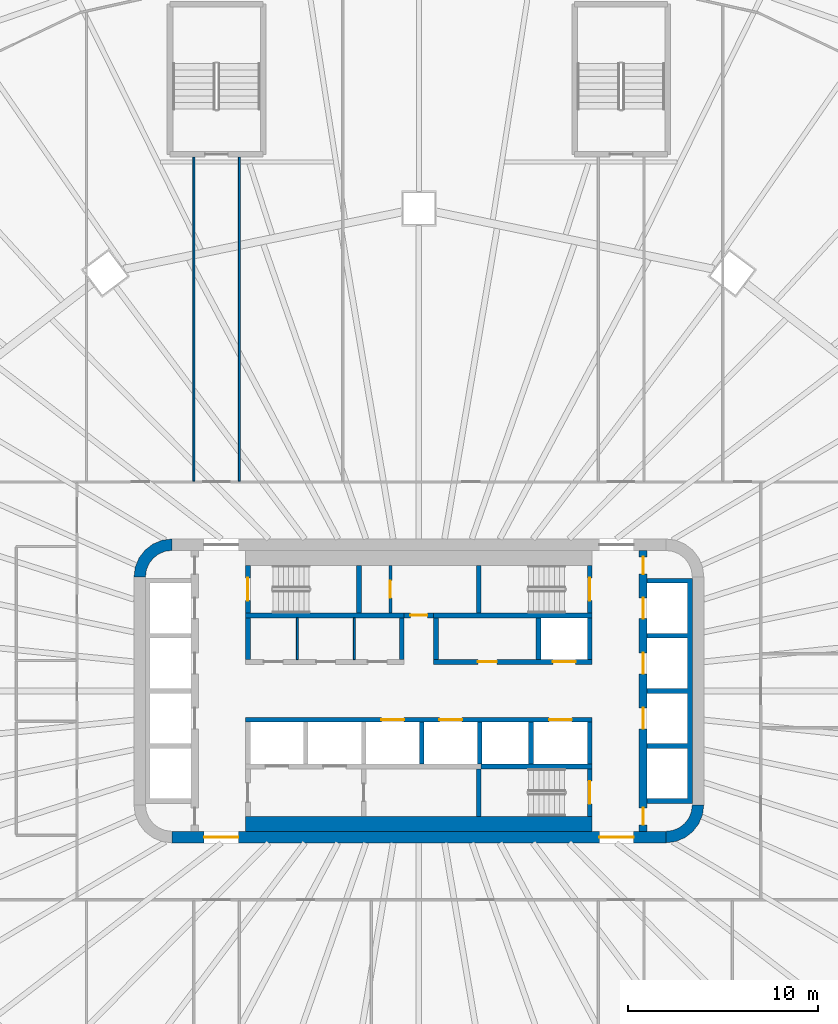
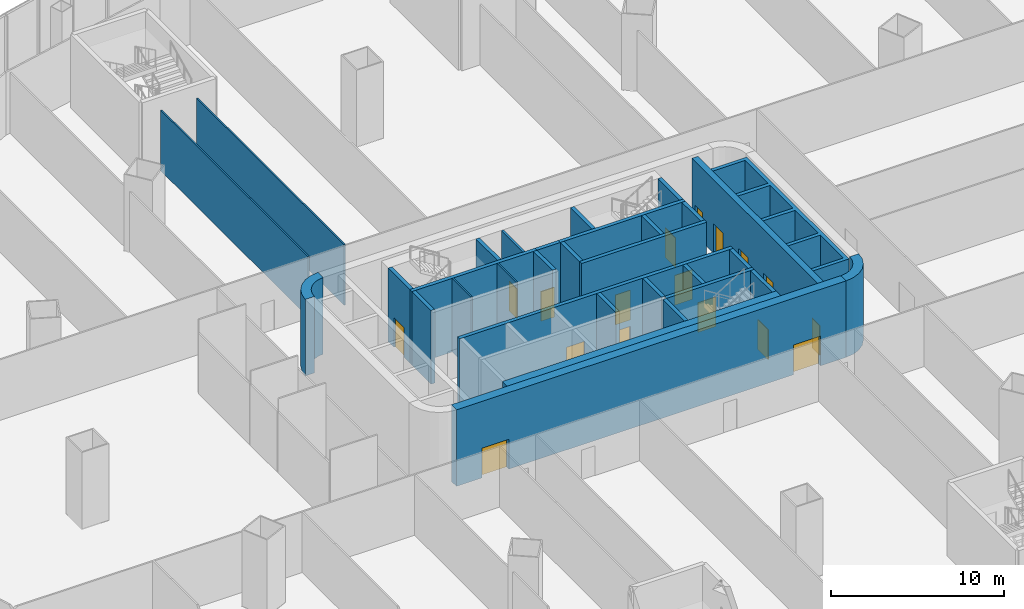
# One storey, part 23 of 42: 32 walls, 17 doors, 17 openings.
"""IFC4 building model written with IfcOpenShell, lengths in metres."""

from ifc_helpers import new_model, si_unit, direction, frame, frame_2d, origin, place, context, subcontext, project, spatial, polyline, rectangle, outline, extrude, material, layer, layer_set, type_object, element, fill, save


model = new_model("IFC4")

# Units and contexts
model_context = context("Model", 3, precision=1e-05, world=origin(), true_north=direction((0.0, 1.0)))
body_context = subcontext(model_context, "Body", "Model", "MODEL_VIEW")
ifc_project = project(units=[si_unit("LENGTHUNIT", "METRE"), si_unit("AREAUNIT", "SQUARE_METRE"), si_unit("VOLUMEUNIT", "CUBIC_METRE"), si_unit("PLANEANGLEUNIT", "RADIAN"), si_unit("MASSUNIT", "GRAM", prefix="KILO")], contexts=[model_context])

# Site, building, storey
site_placement = place(None, origin())
site = spatial("IfcSite", under=ifc_project, at=site_placement, CompositionType="ELEMENT")
building_placement = place(site_placement, origin())
building = spatial("IfcBuilding", under=site, at=building_placement, Name="Sahrelin Media Tower", CompositionType="ELEMENT")
storey_placement = place(building_placement, frame((0.0, 0.0, 26.0)))
storey = spatial("IfcBuildingStorey", under=building, at=storey_placement, Name="L03", CompositionType="ELEMENT", Elevation=26.0)

# Wall, openings, doors
ifc_material_1 = material(Name="Concrete C60/75", Category="concrete")
ifc_layer_1 = layer(ifc_material_1, 0.60009765625)
ifc_layer_set_1 = layer_set([ifc_layer_1], Name="Core wall 600")
wall_type_1 = type_object("IfcWallType", Name="Core wall 600", PredefinedType="SHEAR", material=ifc_layer_set_1)
wall_1_placement = place(storey_placement, frame((-13.0, -7.699951171875, 0.0), z_axis=(0.0, 0.0, 1.0), x_axis=(1.0, 0.0, 0.0)))
wall_1 = element("IfcWall", 1, at=wall_1_placement, inside=storey, type_object=wall_type_1, Name="Core wall S L03", PredefinedType="SHEAR", context=body_context, shape_type="SweptSolid", body=[
    extrude(rectangle(XDim=26.0, YDim=0.60009765625, at=frame_2d((13.0, 0.0))), origin(), (0.0, 0.0, 1.0), 5.39990234375),
])
opening_1_placement = place(wall_1_placement, frame((1.699951171875, 0.0, 0.0)))
opening_1 = element("IfcOpeningElement", 2, at=opening_1_placement, cuts=wall_1, Name="Opening L03-D18", PredefinedType="OPENING", context=body_context, shape_type="SweptSolid", body=[
    extrude(rectangle(XDim=1.800048828125, YDim=2.10009765625, at=frame_2d((0.89990234375, 1.050048828125))), frame((0.0, 0.300048828125, 0.0), z_axis=(0.0, -1.0, 0.0), x_axis=(1.0, 0.0, 0.0)), (0.0, 0.0, 1.0), 0.60009765625),
])
opening_2_placement = place(wall_1_placement, frame((22.5, 0.0, 0.0)))
opening_2 = element("IfcOpeningElement", 3, at=opening_2_placement, cuts=wall_1, Name="Opening L03-D19", PredefinedType="OPENING", context=body_context, shape_type="SweptSolid", body=[
    extrude(rectangle(XDim=1.800048828125, YDim=2.10009765625, at=frame_2d((0.89990234375, 1.050048828125))), frame((0.0, 0.300048828125, 0.0), z_axis=(0.0, -1.0, 0.0), x_axis=(1.0, 0.0, 0.0)), (0.0, 0.0, 1.0), 0.60009765625),
])
ifc_material_2 = material(Name="Steel fire door leaf", Category="steel")
door_type_1 = type_object("IfcDoorType", Name="Lobby double door 1800 x 2100 EI 60", OperationType="DOUBLE_DOOR_SINGLE_SWING", PredefinedType="DOOR", material=ifc_material_2)
door_1_placement = place(opening_1_placement, origin())
door_1 = element("IfcDoor", 4, at=door_1_placement, inside=storey, type_object=door_type_1, Name="Lobby door", OperationType="DOUBLE_DOOR_SINGLE_SWING", OverallHeight=2.10009765625, OverallWidth=1.800048828125, PredefinedType="DOOR", context=body_context, shape_type="SweptSolid", body=[
    extrude(rectangle(XDim=1.800048828125, YDim=2.10009765625, at=frame_2d((0.89990234375, 1.050048828125))), frame((0.0, 0.02490234375, 0.0), z_axis=(0.0, -1.0, 0.0), x_axis=(1.0, 0.0, 0.0)), (0.0, 0.0, 1.0), 0.050048828125),
])
fill(opening_1, door_1)
door_2_placement = place(opening_2_placement, origin())
door_2 = element("IfcDoor", 5, at=door_2_placement, inside=storey, type_object=door_type_1, Name="Lobby door", OperationType="DOUBLE_DOOR_SINGLE_SWING", OverallHeight=2.10009765625, OverallWidth=1.800048828125, PredefinedType="DOOR", context=body_context, shape_type="SweptSolid", body=[
    extrude(rectangle(XDim=1.800048828125, YDim=2.10009765625, at=frame_2d((0.89990234375, 1.050048828125))), frame((0.0, 0.02490234375, 0.0), z_axis=(0.0, -1.0, 0.0), x_axis=(1.0, 0.0, 0.0)), (0.0, 0.0, 1.0), 0.050048828125),
])
fill(opening_2, door_2)

# Walls
placement = place(storey_placement, origin())
element("IfcWall", 6, at=placement, inside=storey, type_object=wall_type_1, Name="Core wall corner NW L03", PredefinedType="SHEAR", context=body_context, shape_type="SweptSolid", body=[
    extrude(outline(polyline([(-15.0, 6.0), (-14.394775390625, 6.0), (-14.347412109375, 6.361083984375), (-14.2080078125, 6.697509765625), (-13.986328125, 6.986328125), (-13.697509765625, 7.2080078125), (-13.361083984375, 7.347412109375), (-13.0, 7.394775390625), (-13.0, 8.0), (-13.517578125, 7.931884765625), (-14.0, 7.732177734375), (-14.414306640625, 7.414306640625), (-14.732177734375, 7.0), (-14.931884765625, 6.517578125), (-15.0, 6.0)])), origin(), (0.0, 0.0, 1.0), 5.39990234375),
])
element("IfcWall", 7, at=placement, inside=storey, type_object=wall_type_1, Name="Core wall corner SE L03", PredefinedType="SHEAR", context=body_context, shape_type="SweptSolid", body=[
    extrude(outline(polyline([(15.0, -6.0), (14.394775390625, -6.0), (14.347412109375, -6.361083984375), (14.2080078125, -6.697509765625), (13.986328125, -6.986328125), (13.697509765625, -7.2080078125), (13.361083984375, -7.347412109375), (13.0, -7.394775390625), (13.0, -8.0), (13.517578125, -7.931884765625), (14.0, -7.732177734375), (14.414306640625, -7.414306640625), (14.732177734375, -7.0), (14.931884765625, -6.517578125), (15.0, -6.0)])), origin(), (0.0, 0.0, 1.0), 5.39990234375),
])

# Wall, opening, door
ifc_material_3 = material(Name="Fire-rated gypsum board partition")
ifc_layer_2 = layer(ifc_material_3, 0.25)
ifc_layer_set_2 = layer_set([ifc_layer_2], Name="Fire-rated lobby wall 250")
wall_type_2 = type_object("IfcWallType", Name="Fire-rated lobby wall 250", PredefinedType="PARTITIONING", material=ifc_layer_set_2)
wall_4_placement = place(storey_placement, frame((-0.77490234375, 3.97509765625, 0.0), z_axis=(0.0, 0.0, 1.0), x_axis=(1.0, 0.0, 0.0)))
wall_4 = element("IfcWall", 8, at=wall_4_placement, inside=storey, type_object=wall_type_2, Name="Core lobby wall", PredefinedType="PARTITIONING", context=body_context, shape_type="SweptSolid", body=[
    extrude(rectangle(XDim=1.5498046875, YDim=0.25, at=frame_2d((0.77490234375, 0.0))), origin(), (0.0, 0.0, 1.0), 5.199951171875),
])
opening_3_placement = place(wall_4_placement, frame((0.324951171875, 0.0, 0.0)))
opening_3 = element("IfcOpeningElement", 9, at=opening_3_placement, cuts=wall_4, Name="Opening L03-D06", PredefinedType="OPENING", context=body_context, shape_type="SweptSolid", body=[
    extrude(rectangle(XDim=0.89990234375, YDim=2.10009765625, at=frame_2d((0.449951171875, 1.050048828125))), frame((0.0, 0.125, 0.0), z_axis=(0.0, -1.0, 0.0), x_axis=(1.0, 0.0, 0.0)), (0.0, 0.0, 1.0), 0.25),
])
door_type_2 = type_object("IfcDoorType", Name="Riser door 900 x 2100 EI 120", OperationType="NOTDEFINED", PredefinedType="DOOR", material=ifc_material_2)
door_3_placement = place(opening_3_placement, origin())
door_3 = element("IfcDoor", 10, at=door_3_placement, inside=storey, type_object=door_type_2, Name="Core room door", OperationType="SINGLE_SWING_LEFT", OverallHeight=2.10009765625, OverallWidth=0.89990234375, PredefinedType="DOOR", context=body_context, shape_type="SweptSolid", body=[
    extrude(rectangle(XDim=0.89990234375, YDim=2.10009765625, at=frame_2d((0.449951171875, 1.050048828125))), frame((0.0, 0.02490234375, 0.0), z_axis=(0.0, -1.0, 0.0), x_axis=(1.0, 0.0, 0.0)), (0.0, 0.0, 1.0), 0.050048828125),
])
fill(opening_3, door_3)

# Walls
for number, where, z_axis, x_axis, name in (
    (11, (-9.0, 1.64990234375, 0.0), (0.0, 0.0, 1.0), (0.0, 1.0, 0.0), "Core lobby wall"),
    (12, (-0.89990234375, 1.64990234375, 0.0), (0.0, 0.0, 1.0), (0.0, 1.0, 0.0), "Core lobby wall"),
    (13, (9.0, 1.64990234375, 0.0), (0.0, 0.0, 1.0), (0.0, 1.0, 0.0), "Core lobby wall"),
    (14, (0.89990234375, 1.64990234375, 0.0), (0.0, 0.0, 1.0), (0.0, 1.0, 0.0), "Core lobby wall"),
):
    element("IfcWall", number, at=place(storey_placement, frame(where, z_axis=z_axis, x_axis=x_axis)), inside=storey, type_object=wall_type_2, Name=name, PredefinedType="PARTITIONING", context=body_context, shape_type="SweptSolid", body=[
        extrude(rectangle(XDim=2.2001953125, YDim=0.25, at=frame_2d((1.10009765625, 0.0))), origin(), (0.0, 0.0, 1.0), 5.199951171875),
    ])
ifc_layer_3 = layer(ifc_material_3, 0.10009765625)
ifc_layer_set_3 = layer_set([ifc_layer_3], Name="Fire-rated partition 100")
wall_type_3 = type_object("IfcWallType", Name="Fire-rated partition 100", PredefinedType="PARTITIONING", material=ifc_layer_set_3)
for number, where, z_axis, x_axis, name in (
    (15, (-6.39990234375, 1.64990234375, 0.0), (0.0, 0.0, 1.0), (0.0, 1.0, 0.0), "Core room partition"),
    (16, (-3.39990234375, 1.64990234375, 0.0), (0.0, 0.0, 1.0), (0.0, 1.0, 0.0), "Core room partition"),
):
    element("IfcWall", number, at=place(storey_placement, frame(where, z_axis=z_axis, x_axis=x_axis)), inside=storey, type_object=wall_type_3, Name=name, PredefinedType="PARTITIONING", context=body_context, shape_type="SweptSolid", body=[
        extrude(rectangle(XDim=2.2001953125, YDim=0.10009765625, at=frame_2d((1.10009765625, 0.0))), origin(), (0.0, 0.0, 1.0), 5.199951171875),
    ])

# Wall, opening, door
ifc_layer_4 = layer(ifc_material_3, 0.14990234375)
ifc_layer_set_4 = layer_set([ifc_layer_4], Name="Fire-rated partition 150")
wall_type_4 = type_object("IfcWallType", Name="Fire-rated partition 150", PredefinedType="PARTITIONING", material=ifc_layer_set_4)
wall_5_placement = place(storey_placement, frame((-1.5, 4.10009765625, 0.0), z_axis=(0.0, 0.0, 1.0), x_axis=(0.0, 1.0, 0.0)))
wall_5 = element("IfcWall", 17, at=wall_5_placement, inside=storey, type_object=wall_type_4, Name="Core room fire partition", PredefinedType="PARTITIONING", context=body_context, shape_type="SweptSolid", body=[
    extrude(rectangle(XDim=2.5, YDim=0.14990234375, at=frame_2d((1.25, 0.0))), origin(), (0.0, 0.0, 1.0), 5.199951171875),
])
opening_4_placement = place(wall_5_placement, frame((0.800048828125, 0.0, 0.0)))
opening_4 = element("IfcOpeningElement", 18, at=opening_4_placement, cuts=wall_5, Name="Opening L03-D07", PredefinedType="OPENING", context=body_context, shape_type="SweptSolid", body=[
    extrude(rectangle(XDim=0.89990234375, YDim=2.10009765625, at=frame_2d((0.449951171875, 1.050048828125))), frame((0.0, 0.074951171875, 0.0), z_axis=(0.0, -1.0, 0.0), x_axis=(1.0, 0.0, 0.0)), (0.0, 0.0, 1.0), 0.14990234375),
])
door_type_3 = type_object("IfcDoorType", Name="Fire door 900 x 2100 EI 60", OperationType="NOTDEFINED", PredefinedType="DOOR", material=ifc_material_2)
door_4_placement = place(opening_4_placement, origin())
door_4 = element("IfcDoor", 19, at=door_4_placement, inside=storey, type_object=door_type_3, Name="Core room door", OperationType="SINGLE_SWING_LEFT", OverallHeight=2.10009765625, OverallWidth=0.89990234375, PredefinedType="DOOR", context=body_context, shape_type="SweptSolid", body=[
    extrude(rectangle(XDim=0.89990234375, YDim=2.10009765625, at=frame_2d((0.449951171875, 1.050048828125))), frame((0.0, 0.02490234375, 0.0), z_axis=(0.0, -1.0, 0.0), x_axis=(1.0, 0.0, 0.0)), (0.0, 0.0, 1.0), 0.050048828125),
])
fill(opening_4, door_4)

# Wall, openings, doors
ifc_layer_5 = layer(ifc_material_1, 0.25)
ifc_layer_set_5 = layer_set([ifc_layer_5], Name="Lift shaft wall 250")
wall_type_5 = type_object("IfcWallType", Name="Lift shaft wall 250", PredefinedType="SOLIDWALL", material=ifc_layer_set_5)
wall_6_placement = place(storey_placement, frame((0.77490234375, 1.52490234375, 0.0), z_axis=(0.0, 0.0, 1.0), x_axis=(1.0, 0.0, 0.0)))
wall_6 = element("IfcWall", 20, at=wall_6_placement, inside=storey, type_object=wall_type_5, Name="Lift shaft wall", PredefinedType="SOLIDWALL", context=body_context, shape_type="SweptSolid", body=[
    extrude(rectangle(XDim=8.35009765625, YDim=0.25, at=frame_2d((4.175048828125, 0.0))), origin(), (0.0, 0.0, 1.0), 5.199951171875),
])
opening_5_placement = place(wall_6_placement, frame((6.27490234375, 0.0, 0.0)))
opening_5 = element("IfcOpeningElement", 21, at=opening_5_placement, cuts=wall_6, Name="Opening L03-LD-PR2", PredefinedType="OPENING", context=body_context, shape_type="SweptSolid", body=[
    extrude(rectangle(XDim=1.199951171875, YDim=2.10009765625, at=frame_2d((0.60009765625, 1.050048828125))), frame((0.0, 0.125, 0.0), z_axis=(0.0, -1.0, 0.0), x_axis=(1.0, 0.0, 0.0)), (0.0, 0.0, 1.0), 0.25),
])
opening_6_placement = place(wall_6_placement, frame((2.324951171875, 0.0, 0.0)))
opening_6 = element("IfcOpeningElement", 22, at=opening_6_placement, cuts=wall_6, Name="Opening L03-D11", PredefinedType="OPENING", context=body_context, shape_type="SweptSolid", body=[
    extrude(rectangle(XDim=1.0, YDim=2.10009765625, at=frame_2d((0.5, 1.050048828125))), frame((0.0, 0.125, 0.0), z_axis=(0.0, -1.0, 0.0), x_axis=(1.0, 0.0, 0.0)), (0.0, 0.0, 1.0), 0.25),
])
door_type_4 = type_object("IfcDoorType", Name="Fire door 1000 x 2100 EI 60", OperationType="NOTDEFINED", PredefinedType="DOOR", material=ifc_material_2)
door_5_placement = place(opening_6_placement, origin())
door_5 = element("IfcDoor", 23, at=door_5_placement, inside=storey, type_object=door_type_4, Name="Core room door", OperationType="SINGLE_SWING_LEFT", OverallHeight=2.10009765625, OverallWidth=1.0, PredefinedType="DOOR", context=body_context, shape_type="SweptSolid", body=[
    extrude(rectangle(XDim=1.0, YDim=2.10009765625, at=frame_2d((0.5, 1.050048828125))), frame((0.0, 0.02490234375, 0.0), z_axis=(0.0, -1.0, 0.0), x_axis=(1.0, 0.0, 0.0)), (0.0, 0.0, 1.0), 0.050048828125),
])
fill(opening_6, door_5)
ifc_material_4 = material(Name="Stainless steel", Category="steel")
door_type_5 = type_object("IfcDoorType", Name="Lift landing door 1200 x 2100 EI 120", OperationType="DOUBLE_DOOR_SLIDING", PredefinedType="DOOR", material=ifc_material_4)
door_6_placement = place(opening_5_placement, origin())
door_6 = element("IfcDoor", 24, at=door_6_placement, inside=storey, type_object=door_type_5, Name="Lift landing door PR2", OperationType="DOUBLE_DOOR_SLIDING", OverallHeight=2.10009765625, OverallWidth=1.199951171875, PredefinedType="DOOR", context=body_context, shape_type="SweptSolid", body=[
    extrude(rectangle(XDim=1.199951171875, YDim=2.10009765625, at=frame_2d((0.60009765625, 1.050048828125))), frame((0.0, 0.02490234375, 0.0), z_axis=(0.0, -1.0, 0.0), x_axis=(1.0, 0.0, 0.0)), (0.0, 0.0, 1.0), 0.050048828125),
])
fill(opening_5, door_6)

# Wall
wall_7_placement = place(storey_placement, frame((6.300048828125, 1.64990234375, 0.0), z_axis=(0.0, 0.0, 1.0), x_axis=(0.0, 1.0, 0.0)))
element("IfcWall", 25, at=wall_7_placement, inside=storey, type_object=wall_type_5, Name="Lift shaft wall", PredefinedType="SOLIDWALL", context=body_context, shape_type="SweptSolid", body=[
    extrude(rectangle(XDim=2.2001953125, YDim=0.25, at=frame_2d((1.10009765625, 0.0))), origin(), (0.0, 0.0, 1.0), 5.199951171875),
])

# Wall, openings, doors
wall_8_placement = place(storey_placement, frame((-9.125, -1.52490234375, 0.0), z_axis=(0.0, 0.0, 1.0), x_axis=(1.0, 0.0, 0.0)))
wall_8 = element("IfcWall", 26, at=wall_8_placement, inside=storey, type_object=wall_type_5, Name="Lift shaft wall", PredefinedType="SOLIDWALL", context=body_context, shape_type="SweptSolid", body=[
    extrude(rectangle(XDim=18.25, YDim=0.25, at=frame_2d((9.125, 0.0))), origin(), (0.0, 0.0, 1.0), 5.199951171875),
])
opening_7_placement = place(wall_8_placement, frame((7.14990234375, 0.0, 0.0)))
opening_7 = element("IfcOpeningElement", 27, at=opening_7_placement, cuts=wall_8, Name="Opening L03-LD-SV1", PredefinedType="OPENING", context=body_context, shape_type="SweptSolid", body=[
    extrude(rectangle(XDim=1.199951171875, YDim=2.10009765625, at=frame_2d((0.60009765625, 1.050048828125))), frame((0.0, 0.125, 0.0), z_axis=(0.0, -1.0, 0.0), x_axis=(1.0, 0.0, 0.0)), (0.0, 0.0, 1.0), 0.25),
])
opening_8_placement = place(wall_8_placement, frame((10.199951171875, 0.0, 0.0)))
opening_8 = element("IfcOpeningElement", 28, at=opening_8_placement, cuts=wall_8, Name="Opening L03-LD-SV2", PredefinedType="OPENING", context=body_context, shape_type="SweptSolid", body=[
    extrude(rectangle(XDim=1.199951171875, YDim=2.10009765625, at=frame_2d((0.60009765625, 1.050048828125))), frame((0.0, 0.125, 0.0), z_axis=(0.0, -1.0, 0.0), x_axis=(1.0, 0.0, 0.0)), (0.0, 0.0, 1.0), 0.25),
])
opening_9_placement = place(wall_8_placement, frame((15.97509765625, 0.0, 0.0)))
opening_9 = element("IfcOpeningElement", 29, at=opening_9_placement, cuts=wall_8, Name="Opening L03-LD-PR1", PredefinedType="OPENING", context=body_context, shape_type="SweptSolid", body=[
    extrude(rectangle(XDim=1.199951171875, YDim=2.10009765625, at=frame_2d((0.60009765625, 1.050048828125))), frame((0.0, 0.125, 0.0), z_axis=(0.0, -1.0, 0.0), x_axis=(1.0, 0.0, 0.0)), (0.0, 0.0, 1.0), 0.25),
])
door_7_placement = place(opening_7_placement, origin())
door_7 = element("IfcDoor", 30, at=door_7_placement, inside=storey, type_object=door_type_5, Name="Lift landing door SV1", OperationType="DOUBLE_DOOR_SLIDING", OverallHeight=2.10009765625, OverallWidth=1.199951171875, PredefinedType="DOOR", context=body_context, shape_type="SweptSolid", body=[
    extrude(rectangle(XDim=1.199951171875, YDim=2.10009765625, at=frame_2d((0.60009765625, 1.050048828125))), frame((0.0, 0.02490234375, 0.0), z_axis=(0.0, -1.0, 0.0), x_axis=(1.0, 0.0, 0.0)), (0.0, 0.0, 1.0), 0.050048828125),
])
fill(opening_7, door_7)
door_8_placement = place(opening_8_placement, origin())
door_8 = element("IfcDoor", 31, at=door_8_placement, inside=storey, type_object=door_type_5, Name="Lift landing door SV2", OperationType="DOUBLE_DOOR_SLIDING", OverallHeight=2.10009765625, OverallWidth=1.199951171875, PredefinedType="DOOR", context=body_context, shape_type="SweptSolid", body=[
    extrude(rectangle(XDim=1.199951171875, YDim=2.10009765625, at=frame_2d((0.60009765625, 1.050048828125))), frame((0.0, 0.02490234375, 0.0), z_axis=(0.0, -1.0, 0.0), x_axis=(1.0, 0.0, 0.0)), (0.0, 0.0, 1.0), 0.050048828125),
])
fill(opening_8, door_8)
door_9_placement = place(opening_9_placement, origin())
door_9 = element("IfcDoor", 32, at=door_9_placement, inside=storey, type_object=door_type_5, Name="Lift landing door PR1", OperationType="DOUBLE_DOOR_SLIDING", OverallHeight=2.10009765625, OverallWidth=1.199951171875, PredefinedType="DOOR", context=body_context, shape_type="SweptSolid", body=[
    extrude(rectangle(XDim=1.199951171875, YDim=2.10009765625, at=frame_2d((0.60009765625, 1.050048828125))), frame((0.0, 0.02490234375, 0.0), z_axis=(0.0, -1.0, 0.0), x_axis=(1.0, 0.0, 0.0)), (0.0, 0.0, 1.0), 0.050048828125),
])
fill(opening_9, door_9)

# Walls
wall_9_placement = place(storey_placement, frame((3.27490234375, -3.97509765625, 0.0), z_axis=(0.0, 0.0, 1.0), x_axis=(1.0, 0.0, 0.0)))
element("IfcWall", 33, at=wall_9_placement, inside=storey, type_object=wall_type_5, Name="Lift shaft wall", PredefinedType="SOLIDWALL", context=body_context, shape_type="SweptSolid", body=[
    extrude(rectangle(XDim=5.85009765625, YDim=0.25, at=frame_2d((2.925048828125, 0.0))), origin(), (0.0, 0.0, 1.0), 5.199951171875),
])
for number, where, z_axis, x_axis, name in (
    (34, (0.14990234375, -3.85009765625, 0.0), (0.0, 0.0, 1.0), (0.0, 1.0, 0.0), "Lift shaft wall"),
    (35, (3.199951171875, -3.85009765625, 0.0), (0.0, 0.0, 1.0), (0.0, 1.0, 0.0), "Lift shaft wall"),
    (36, (5.89990234375, -3.85009765625, 0.0), (0.0, 0.0, 1.0), (0.0, 1.0, 0.0), "Lift shaft wall"),
    (37, (9.0, -3.85009765625, 0.0), (0.0, 0.0, 1.0), (0.0, 1.0, 0.0), "Lift shaft wall"),
):
    element("IfcWall", number, at=place(storey_placement, frame(where, z_axis=z_axis, x_axis=x_axis)), inside=storey, type_object=wall_type_5, Name=name, PredefinedType="SOLIDWALL", context=body_context, shape_type="SweptSolid", body=[
        extrude(rectangle(XDim=2.2001953125, YDim=0.25, at=frame_2d((1.10009765625, 0.0))), origin(), (0.0, 0.0, 1.0), 5.199951171875),
    ])
element("IfcWall", 38, at=placement, inside=storey, type_object=wall_type_5, Name="Lift shaft wall", PredefinedType="SOLIDWALL", context=body_context, shape_type="SweptSolid", body=[
    extrude(outline(polyline([(12.0, -5.675048828125), (12.0, -5.925048828125), (14.14990234375, -5.925048828125), (14.39990234375, -5.925048828125), (14.39990234375, -5.675048828125), (14.39990234375, -3.02490234375), (14.39990234375, -2.77490234375), (14.39990234375, -0.125), (14.39990234375, 0.125), (14.39990234375, 2.77490234375), (14.39990234375, 3.02490234375), (14.39990234375, 5.675048828125), (14.39990234375, 5.925048828125), (14.14990234375, 5.925048828125), (12.0, 5.925048828125), (12.0, 5.675048828125), (14.14990234375, 5.675048828125), (14.14990234375, 3.02490234375), (12.0, 3.02490234375), (12.0, 2.77490234375), (14.14990234375, 2.77490234375), (14.14990234375, 0.125), (12.0, 0.125), (12.0, -0.125), (14.14990234375, -0.125), (14.14990234375, -2.77490234375), (12.0, -2.77490234375), (12.0, -3.02490234375), (14.14990234375, -3.02490234375), (14.14990234375, -5.675048828125), (12.0, -5.675048828125)])), origin(), (0.0, 0.0, 1.0), 5.199951171875),
])

# Wall, openings, doors
ifc_layer_6 = layer(ifc_material_1, 0.39990234375)
ifc_layer_set_6 = layer_set([ifc_layer_6], Name="Lift shaft wall 400")
wall_type_6 = type_object("IfcWallType", Name="Lift shaft wall 400", PredefinedType="SOLIDWALL", material=ifc_layer_set_6)
wall_11_placement = place(storey_placement, frame((11.800048828125, -7.39990234375, 0.0), z_axis=(0.0, 0.0, 1.0), x_axis=(0.0, 1.0, 0.0)))
wall_11 = element("IfcWall", 39, at=wall_11_placement, inside=storey, type_object=wall_type_6, Name="Lift shaft wall", PredefinedType="SOLIDWALL", context=body_context, shape_type="SweptSolid", body=[
    extrude(rectangle(XDim=14.7998046875, YDim=0.39990234375, at=frame_2d((7.39990234375, 0.0))), origin(), (0.0, 0.0, 1.0), 5.199951171875),
])
opening_10_placement = place(wall_11_placement, frame((11.199951171875, 0.0, 0.0)))
opening_10 = element("IfcOpeningElement", 40, at=opening_10_placement, cuts=wall_11, Name="Opening L03-LD-LR4", PredefinedType="OPENING", context=body_context, shape_type="SweptSolid", body=[
    extrude(rectangle(XDim=1.10009765625, YDim=2.10009765625, at=frame_2d((0.550048828125, 1.050048828125))), frame((0.0, 0.199951171875, 0.0), z_axis=(0.0, -1.0, 0.0), x_axis=(1.0, 0.0, 0.0)), (0.0, 0.0, 1.0), 0.39990234375),
])
opening_11_placement = place(wall_11_placement, frame((8.300048828125, 0.0, 0.0)))
opening_11 = element("IfcOpeningElement", 41, at=opening_11_placement, cuts=wall_11, Name="Opening L03-LD-LR5", PredefinedType="OPENING", context=body_context, shape_type="SweptSolid", body=[
    extrude(rectangle(XDim=1.10009765625, YDim=2.10009765625, at=frame_2d((0.550048828125, 1.050048828125))), frame((0.0, 0.199951171875, 0.0), z_axis=(0.0, -1.0, 0.0), x_axis=(1.0, 0.0, 0.0)), (0.0, 0.0, 1.0), 0.39990234375),
])
opening_12_placement = place(wall_11_placement, frame((5.39990234375, 0.0, 0.0)))
opening_12 = element("IfcOpeningElement", 42, at=opening_12_placement, cuts=wall_11, Name="Opening L03-LD-LR6", PredefinedType="OPENING", context=body_context, shape_type="SweptSolid", body=[
    extrude(rectangle(XDim=1.10009765625, YDim=2.10009765625, at=frame_2d((0.550048828125, 1.050048828125))), frame((0.0, 0.199951171875, 0.0), z_axis=(0.0, -1.0, 0.0), x_axis=(1.0, 0.0, 0.0)), (0.0, 0.0, 1.0), 0.39990234375),
])
opening_13_placement = place(wall_11_placement, frame((13.552490234375, 0.0, 0.0)))
opening_13 = element("IfcOpeningElement", 43, at=opening_13_placement, cuts=wall_11, Name="Opening L03-D14", PredefinedType="OPENING", context=body_context, shape_type="SweptSolid", body=[
    extrude(rectangle(XDim=0.89990234375, YDim=2.10009765625, at=frame_2d((0.449951171875, 1.050048828125))), frame((0.0, 0.199951171875, 0.0), z_axis=(0.0, -1.0, 0.0), x_axis=(1.0, 0.0, 0.0)), (0.0, 0.0, 1.0), 0.39990234375),
])
opening_14_placement = place(wall_11_placement, frame((0.347412109375, 0.0, 0.0)))
opening_14 = element("IfcOpeningElement", 44, at=opening_14_placement, cuts=wall_11, Name="Opening L03-D15", PredefinedType="OPENING", context=body_context, shape_type="SweptSolid", body=[
    extrude(rectangle(XDim=0.89990234375, YDim=2.10009765625, at=frame_2d((0.449951171875, 1.050048828125))), frame((0.0, 0.199951171875, 0.0), z_axis=(0.0, -1.0, 0.0), x_axis=(1.0, 0.0, 0.0)), (0.0, 0.0, 1.0), 0.39990234375),
])
door_type_6 = type_object("IfcDoorType", Name="Lift landing door 1100 x 2100 EI 120", OperationType="DOUBLE_DOOR_SLIDING", PredefinedType="DOOR", material=ifc_material_4)
door_10_placement = place(opening_10_placement, origin())
door_10 = element("IfcDoor", 45, at=door_10_placement, inside=storey, type_object=door_type_6, Name="Lift landing door LR4", OperationType="DOUBLE_DOOR_SLIDING", OverallHeight=2.10009765625, OverallWidth=1.10009765625, PredefinedType="DOOR", context=body_context, shape_type="SweptSolid", body=[
    extrude(rectangle(XDim=1.10009765625, YDim=2.10009765625, at=frame_2d((0.550048828125, 1.050048828125))), frame((0.0, 0.02490234375, 0.0), z_axis=(0.0, -1.0, 0.0), x_axis=(1.0, 0.0, 0.0)), (0.0, 0.0, 1.0), 0.050048828125),
])
fill(opening_10, door_10)
door_11_placement = place(opening_11_placement, origin())
door_11 = element("IfcDoor", 46, at=door_11_placement, inside=storey, type_object=door_type_6, Name="Lift landing door LR5", OperationType="DOUBLE_DOOR_SLIDING", OverallHeight=2.10009765625, OverallWidth=1.10009765625, PredefinedType="DOOR", context=body_context, shape_type="SweptSolid", body=[
    extrude(rectangle(XDim=1.10009765625, YDim=2.10009765625, at=frame_2d((0.550048828125, 1.050048828125))), frame((0.0, 0.02490234375, 0.0), z_axis=(0.0, -1.0, 0.0), x_axis=(1.0, 0.0, 0.0)), (0.0, 0.0, 1.0), 0.050048828125),
])
fill(opening_11, door_11)
door_12_placement = place(opening_12_placement, origin())
door_12 = element("IfcDoor", 47, at=door_12_placement, inside=storey, type_object=door_type_6, Name="Lift landing door LR6", OperationType="DOUBLE_DOOR_SLIDING", OverallHeight=2.10009765625, OverallWidth=1.10009765625, PredefinedType="DOOR", context=body_context, shape_type="SweptSolid", body=[
    extrude(rectangle(XDim=1.10009765625, YDim=2.10009765625, at=frame_2d((0.550048828125, 1.050048828125))), frame((0.0, 0.02490234375, 0.0), z_axis=(0.0, -1.0, 0.0), x_axis=(1.0, 0.0, 0.0)), (0.0, 0.0, 1.0), 0.050048828125),
])
fill(opening_12, door_12)
door_13_placement = place(opening_13_placement, origin())
door_13 = element("IfcDoor", 48, at=door_13_placement, inside=storey, type_object=door_type_2, Name="Riser door", OperationType="SINGLE_SWING_RIGHT", OverallHeight=2.10009765625, OverallWidth=0.89990234375, PredefinedType="DOOR", context=body_context, shape_type="SweptSolid", body=[
    extrude(rectangle(XDim=0.89990234375, YDim=2.10009765625, at=frame_2d((0.449951171875, 1.050048828125))), frame((0.0, 0.02490234375, 0.0), z_axis=(0.0, -1.0, 0.0), x_axis=(1.0, 0.0, 0.0)), (0.0, 0.0, 1.0), 0.050048828125),
])
fill(opening_13, door_13)
door_14_placement = place(opening_14_placement, origin())
door_14 = element("IfcDoor", 49, at=door_14_placement, inside=storey, type_object=door_type_2, Name="Riser door", OperationType="SINGLE_SWING_RIGHT", OverallHeight=2.10009765625, OverallWidth=0.89990234375, PredefinedType="DOOR", context=body_context, shape_type="SweptSolid", body=[
    extrude(rectangle(XDim=0.89990234375, YDim=2.10009765625, at=frame_2d((0.449951171875, 1.050048828125))), frame((0.0, 0.02490234375, 0.0), z_axis=(0.0, -1.0, 0.0), x_axis=(1.0, 0.0, 0.0)), (0.0, 0.0, 1.0), 0.050048828125),
])
fill(opening_14, door_14)

# Walls
ifc_material_5 = material(Name="Gypsum board partition")
ifc_layer_7 = layer(ifc_material_5, 0.10009765625)
ifc_layer_set_7 = layer_set([ifc_layer_7], Name="Partition 100")
wall_type_7 = type_object("IfcWallType", Name="Partition 100", PredefinedType="PARTITIONING", material=ifc_layer_set_7)
for number, where, z_axis, x_axis, name in (
    (50, (-11.85009765625, 11.050048828125, 0.0), (0.0, 0.0, 1.0), (0.0, 1.0, 0.0), "Wall"),
    (51, (-9.449951171875, 11.050048828125, 0.0), (0.0, 0.0, 1.0), (0.0, 1.0, 0.0), "Wall"),
):
    element("IfcWall", number, at=place(storey_placement, frame(where, z_axis=z_axis, x_axis=x_axis)), inside=storey, type_object=wall_type_7, Name=name, PredefinedType="PARTITIONING", context=body_context, shape_type="SweptSolid", body=[
        extrude(rectangle(XDim=17.050048828125, YDim=0.10009765625, at=frame_2d((8.52490234375, 0.0))), origin(), (0.0, 0.0, 1.0), 4.268310546875),
    ])

# Wall, opening, door
ifc_layer_8 = layer(ifc_material_1, 0.25)
ifc_layer_set_8 = layer_set([ifc_layer_8], Name="Stair enclosure wall 250")
wall_type_8 = type_object("IfcWallType", Name="Stair enclosure wall 250", PredefinedType="SOLIDWALL", material=ifc_layer_set_8)
wall_12_placement = place(storey_placement, frame((-9.0, 4.10009765625, 0.0), z_axis=(0.0, 0.0, 1.0), x_axis=(0.0, 1.0, 0.0)))
wall_12 = element("IfcWall", 52, at=wall_12_placement, inside=storey, type_object=wall_type_8, Name="Stair enclosure wall", PredefinedType="SOLIDWALL", context=body_context, shape_type="SweptSolid", body=[
    extrude(rectangle(XDim=2.5, YDim=0.25, at=frame_2d((1.25, 0.0))), origin(), (0.0, 0.0, 1.0), 5.199951171875),
])
opening_15_placement = place(wall_12_placement, frame((0.64990234375, 0.0, 0.0)))
opening_15 = element("IfcOpeningElement", 53, at=opening_15_placement, cuts=wall_12, Name="Opening L03-D01", PredefinedType="OPENING", context=body_context, shape_type="SweptSolid", body=[
    extrude(rectangle(XDim=1.199951171875, YDim=2.10009765625, at=frame_2d((0.60009765625, 1.050048828125))), frame((0.0, 0.125, 0.0), z_axis=(0.0, -1.0, 0.0), x_axis=(1.0, 0.0, 0.0)), (0.0, 0.0, 1.0), 0.25),
])
door_type_7 = type_object("IfcDoorType", Name="Stair door 1200 x 2100 EI 120", OperationType="NOTDEFINED", PredefinedType="DOOR", material=ifc_material_2)
door_15_placement = place(opening_15_placement, origin())
door_15 = element("IfcDoor", 54, at=door_15_placement, inside=storey, type_object=door_type_7, Name="Stair door ST1", OperationType="SINGLE_SWING_RIGHT", OverallHeight=2.10009765625, OverallWidth=1.199951171875, PredefinedType="DOOR", context=body_context, shape_type="SweptSolid", body=[
    extrude(rectangle(XDim=1.199951171875, YDim=2.10009765625, at=frame_2d((0.60009765625, 1.050048828125))), frame((0.0, 0.02490234375, 0.0), z_axis=(0.0, -1.0, 0.0), x_axis=(1.0, 0.0, 0.0)), (0.0, 0.0, 1.0), 0.050048828125),
])
fill(opening_15, door_15)

wall_13_placement = place(storey_placement, frame((9.0, 4.10009765625, 0.0), z_axis=(0.0, 0.0, 1.0), x_axis=(0.0, 1.0, 0.0)))
wall_13 = element("IfcWall", 55, at=wall_13_placement, inside=storey, type_object=wall_type_8, Name="Stair enclosure wall", PredefinedType="SOLIDWALL", context=body_context, shape_type="SweptSolid", body=[
    extrude(rectangle(XDim=2.5, YDim=0.25, at=frame_2d((1.25, 0.0))), origin(), (0.0, 0.0, 1.0), 5.199951171875),
])
opening_16_placement = place(wall_13_placement, frame((0.64990234375, 0.0, 0.0)))
opening_16 = element("IfcOpeningElement", 56, at=opening_16_placement, cuts=wall_13, Name="Opening L03-D02", PredefinedType="OPENING", context=body_context, shape_type="SweptSolid", body=[
    extrude(rectangle(XDim=1.199951171875, YDim=2.10009765625, at=frame_2d((0.60009765625, 1.050048828125))), frame((0.0, 0.125, 0.0), z_axis=(0.0, -1.0, 0.0), x_axis=(1.0, 0.0, 0.0)), (0.0, 0.0, 1.0), 0.25),
])
door_16_placement = place(opening_16_placement, origin())
door_16 = element("IfcDoor", 57, at=door_16_placement, inside=storey, type_object=door_type_7, Name="Stair door ST3", OperationType="SINGLE_SWING_LEFT", OverallHeight=2.10009765625, OverallWidth=1.199951171875, PredefinedType="DOOR", context=body_context, shape_type="SweptSolid", body=[
    extrude(rectangle(XDim=1.199951171875, YDim=2.10009765625, at=frame_2d((0.60009765625, 1.050048828125))), frame((0.0, 0.02490234375, 0.0), z_axis=(0.0, -1.0, 0.0), x_axis=(1.0, 0.0, 0.0)), (0.0, 0.0, 1.0), 0.050048828125),
])
fill(opening_16, door_16)

wall_14_placement = place(storey_placement, frame((9.0, -6.60009765625, 0.0), z_axis=(0.0, 0.0, 1.0), x_axis=(0.0, 1.0, 0.0)))
wall_14 = element("IfcWall", 58, at=wall_14_placement, inside=storey, type_object=wall_type_8, Name="Stair enclosure wall", PredefinedType="SOLIDWALL", context=body_context, shape_type="SweptSolid", body=[
    extrude(rectangle(XDim=2.5, YDim=0.25, at=frame_2d((1.25, 0.0))), origin(), (0.0, 0.0, 1.0), 5.199951171875),
])
opening_17_placement = place(wall_14_placement, frame((0.64990234375, 0.0, 0.0)))
opening_17 = element("IfcOpeningElement", 59, at=opening_17_placement, cuts=wall_14, Name="Opening L03-D03", PredefinedType="OPENING", context=body_context, shape_type="SweptSolid", body=[
    extrude(rectangle(XDim=1.199951171875, YDim=2.10009765625, at=frame_2d((0.60009765625, 1.050048828125))), frame((0.0, 0.125, 0.0), z_axis=(0.0, -1.0, 0.0), x_axis=(1.0, 0.0, 0.0)), (0.0, 0.0, 1.0), 0.25),
])
door_17_placement = place(opening_17_placement, origin())
door_17 = element("IfcDoor", 60, at=door_17_placement, inside=storey, type_object=door_type_7, Name="Stair door ST2", OperationType="SINGLE_SWING_LEFT", OverallHeight=2.10009765625, OverallWidth=1.199951171875, PredefinedType="DOOR", context=body_context, shape_type="SweptSolid", body=[
    extrude(rectangle(XDim=1.199951171875, YDim=2.10009765625, at=frame_2d((0.60009765625, 1.050048828125))), frame((0.0, 0.02490234375, 0.0), z_axis=(0.0, -1.0, 0.0), x_axis=(1.0, 0.0, 0.0)), (0.0, 0.0, 1.0), 0.050048828125),
])
fill(opening_17, door_17)

# Walls
for number, where, z_axis, x_axis, name in (
    (61, (-3.14990234375, 4.10009765625, 0.0), (0.0, 0.0, 1.0), (0.0, 1.0, 0.0), "Stair enclosure wall"),
    (62, (3.14990234375, 4.10009765625, 0.0), (0.0, 0.0, 1.0), (0.0, 1.0, 0.0), "Stair enclosure wall"),
    (63, (3.14990234375, -6.60009765625, 0.0), (0.0, 0.0, 1.0), (0.0, 1.0, 0.0), "Stair enclosure wall"),
):
    element("IfcWall", number, at=place(storey_placement, frame(where, z_axis=z_axis, x_axis=x_axis)), inside=storey, type_object=wall_type_8, Name=name, PredefinedType="SOLIDWALL", context=body_context, shape_type="SweptSolid", body=[
        extrude(rectangle(XDim=2.5, YDim=0.25, at=frame_2d((1.25, 0.0))), origin(), (0.0, 0.0, 1.0), 5.199951171875),
    ])
for number, where, z_axis, x_axis, name in (
    (64, (-9.125, 3.97509765625, 0.0), (0.0, 0.0, 1.0), (1.0, 0.0, 0.0), "Stair enclosure wall"),
    (65, (0.77490234375, 3.97509765625, 0.0), (0.0, 0.0, 1.0), (1.0, 0.0, 0.0), "Stair enclosure wall"),
):
    element("IfcWall", number, at=place(storey_placement, frame(where, z_axis=z_axis, x_axis=x_axis)), inside=storey, type_object=wall_type_8, Name=name, PredefinedType="SOLIDWALL", context=body_context, shape_type="SweptSolid", body=[
        extrude(rectangle(XDim=8.35009765625, YDim=0.25, at=frame_2d((4.175048828125, 0.0))), origin(), (0.0, 0.0, 1.0), 5.199951171875),
    ])
ifc_layer_9 = layer(ifc_material_1, 0.800048828125)
ifc_layer_set_9 = layer_set([ifc_layer_9], Name="Stair enclosure wall 800")
wall_type_9 = type_object("IfcWallType", Name="Stair enclosure wall 800", PredefinedType="SOLIDWALL", material=ifc_layer_set_9)
wall_15_placement = place(storey_placement, frame((-9.125, -7.0, 0.0), z_axis=(0.0, 0.0, 1.0), x_axis=(1.0, 0.0, 0.0)))
element("IfcWall", 66, at=wall_15_placement, inside=storey, type_object=wall_type_9, Name="Stair enclosure wall", PredefinedType="SOLIDWALL", context=body_context, shape_type="SweptSolid", body=[
    extrude(rectangle(XDim=18.25, YDim=0.800048828125, at=frame_2d((9.125, 0.0))), origin(), (0.0, 0.0, 1.0), 5.199951171875),
])

save(model, "model.ifc")
